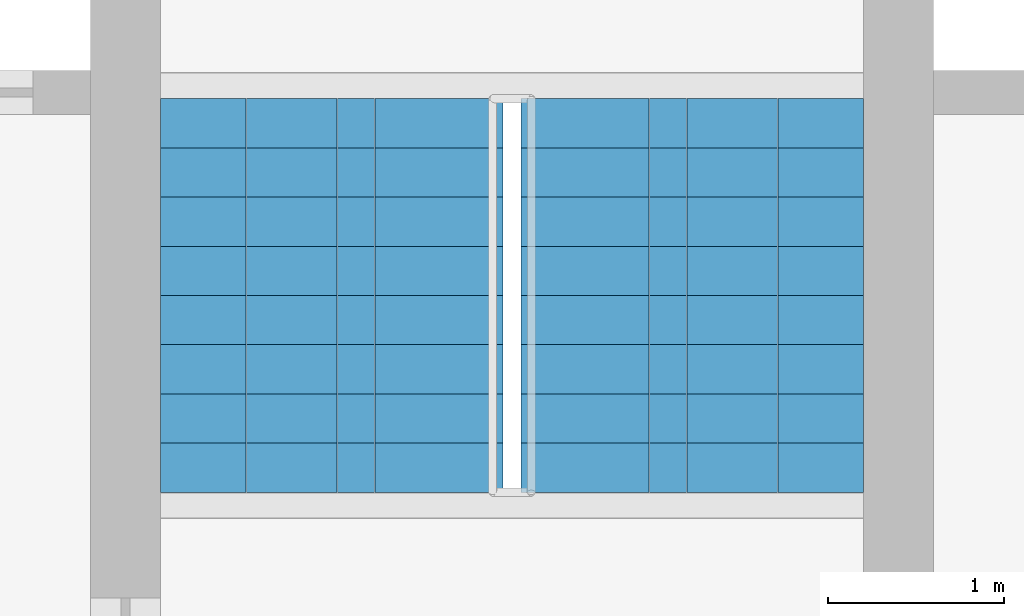
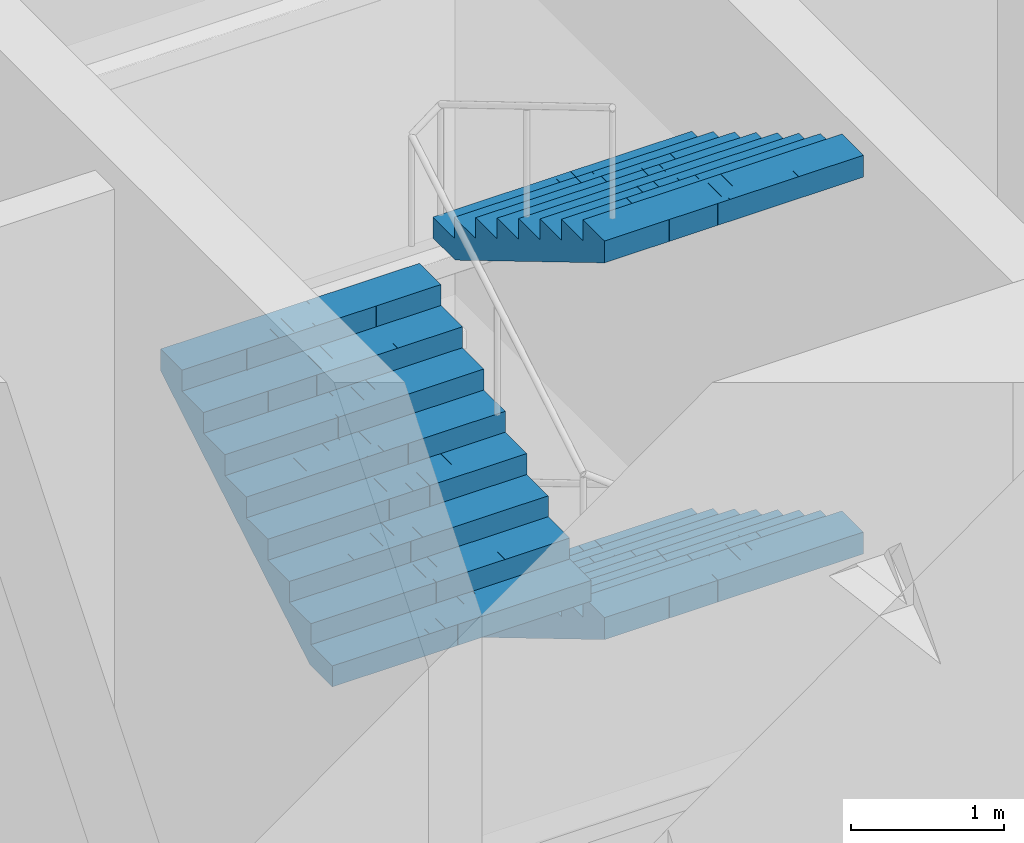
# One storey, part 16 of 19: 3 stair flights, 1 element without a shape of its own.
"""IFC4 building model written with IfcOpenShell, lengths in metres."""

from ifc_helpers import new_model, si_unit, direction, frame, origin, place, context, subcontext, project, spatial, polyline, outline, extrude, material, type_object, element, aggregate, save


model = new_model("IFC4")

# Units and contexts
model_context = context("Model", 3, precision=1e-05, world=origin(), true_north=direction((0.0, 1.0)))
body_context = subcontext(model_context, "Body", "Model", "MODEL_VIEW")
ifc_project = project(units=[si_unit("LENGTHUNIT", "METRE"), si_unit("AREAUNIT", "SQUARE_METRE"), si_unit("VOLUMEUNIT", "CUBIC_METRE"), si_unit("PLANEANGLEUNIT", "RADIAN"), si_unit("MASSUNIT", "GRAM", prefix="KILO")], contexts=[model_context])

# Site, building, storey
site_placement = place(None, origin())
site = spatial("IfcSite", under=ifc_project, at=site_placement, CompositionType="ELEMENT")
building_placement = place(site_placement, origin())
building = spatial("IfcBuilding", under=site, at=building_placement, Name="Mizan Broadcast Tower", CompositionType="ELEMENT")
storey_placement = place(building_placement, frame((0.0, 0.0, 198.89990234375)))
storey = spatial("IfcBuildingStorey", under=building, at=storey_placement, Name="L46", CompositionType="ELEMENT", Elevation=198.89990234375)

# Stair, stair flights
ifc_material_1 = material(Name="Concrete C40/50", Category="concrete")
stair_type = type_object("IfcStairType", Name="EXIT STAIR", PredefinedType="HALF_TURN_STAIR", material=ifc_material_1)
stair_placement = place(storey_placement, origin())
stair = element("IfcStair", 1, at=stair_placement, inside=storey, type_object=stair_type, Name="Stair A L46", PredefinedType="HALF_TURN_STAIR")
ifc_material_2 = material(Name="Concrete C40/50", Category="concrete")
stair_flight_type = type_object("IfcStairFlightType", Name="EXIT STAIR FLIGHT", PredefinedType="STRAIGHT", material=ifc_material_2)
stair_flight_1_placement = place(storey_placement, frame((1.02490234375, -5.659912109375, 1.5), z_axis=(0.0, 0.0, 1.0), x_axis=(0.0, -1.0, 0.0)))
stair_flight_1 = element("IfcStairFlight", 2, at=stair_flight_1_placement, type_object=stair_flight_type, Name="A flight 2", NumberOfRisers=9, NumberOfTreads=8, PredefinedType="STRAIGHT", RiserHeight=0.166666667, TreadLength=0.28, context=body_context, shape_type="SweptSolid", body=[
    extrude(outline(polyline([(0.0, 0.0), (0.0, 0.166748046875), (0.280029296875, 0.166748046875), (0.280029296875, 0.333251953125), (0.56005859375, 0.333251953125), (0.56005859375, 0.5), (0.840087890625, 0.5), (0.840087890625, 0.666748046875), (1.1201171875, 0.666748046875), (1.1201171875, 0.833251953125), (1.39990234375, 0.833251953125), (1.39990234375, 1.0), (1.679931640625, 1.0), (1.679931640625, 1.166748046875), (1.9599609375, 1.166748046875), (1.9599609375, 1.333251953125), (2.239990234375, 1.333251953125), (2.239990234375, 1.5), (2.239990234375, 1.158935546875), (0.29296875, 0.0), (0.0, 0.0)])), frame((0.0, 0.97509765625, 0.0), z_axis=(0.0, -1.0, 0.0), x_axis=(1.0, 0.0, 0.0)), (0.0, 0.0, 1.0), 0.4873046875),
    extrude(outline(polyline([(0.0, 0.0), (0.0, 0.166748046875), (0.280029296875, 0.166748046875), (0.280029296875, 0.333251953125), (0.56005859375, 0.333251953125), (0.56005859375, 0.5), (0.840087890625, 0.5), (0.840087890625, 0.666748046875), (1.1201171875, 0.666748046875), (1.1201171875, 0.833251953125), (1.39990234375, 0.833251953125), (1.39990234375, 1.0), (1.679931640625, 1.0), (1.679931640625, 1.166748046875), (1.9599609375, 1.166748046875), (1.9599609375, 1.333251953125), (2.239990234375, 1.333251953125), (2.239990234375, 1.5), (2.239990234375, 1.158935546875), (0.29296875, 0.0), (0.0, 0.0)])), frame((0.0, 0.4873046875, 0.0), z_axis=(0.0, -1.0, 0.0), x_axis=(1.0, 0.0, 0.0)), (0.0, 0.0, 1.0), 0.2431640625),
    extrude(outline(polyline([(0.0, 0.0), (0.0, 0.166748046875), (0.280029296875, 0.166748046875), (0.280029296875, 0.333251953125), (0.56005859375, 0.333251953125), (0.56005859375, 0.5), (0.840087890625, 0.5), (0.840087890625, 0.666748046875), (1.1201171875, 0.666748046875), (1.1201171875, 0.833251953125), (1.39990234375, 0.833251953125), (1.39990234375, 1.0), (1.679931640625, 1.0), (1.679931640625, 1.166748046875), (1.9599609375, 1.166748046875), (1.9599609375, 1.333251953125), (2.239990234375, 1.333251953125), (2.239990234375, 1.5), (2.239990234375, 1.158935546875), (0.29296875, 0.0), (0.0, 0.0)])), frame((0.0, 0.24365234375, 0.0), z_axis=(0.0, -1.0, 0.0), x_axis=(1.0, 0.0, 0.0)), (0.0, 0.0, 1.0), 0.121337890625),
    extrude(outline(polyline([(0.0, 0.0), (0.0, 0.166748046875), (0.280029296875, 0.166748046875), (0.280029296875, 0.333251953125), (0.56005859375, 0.333251953125), (0.56005859375, 0.5), (0.840087890625, 0.5), (0.840087890625, 0.666748046875), (1.1201171875, 0.666748046875), (1.1201171875, 0.833251953125), (1.39990234375, 0.833251953125), (1.39990234375, 1.0), (1.679931640625, 1.0), (1.679931640625, 1.166748046875), (1.9599609375, 1.166748046875), (1.9599609375, 1.333251953125), (2.239990234375, 1.333251953125), (2.239990234375, 1.5), (2.239990234375, 1.158935546875), (0.29296875, 0.0), (0.0, 0.0)])), frame((0.0, 0.121826171875, 0.0), z_axis=(0.0, -1.0, 0.0), x_axis=(1.0, 0.0, 0.0)), (0.0, 0.0, 1.0), 0.060546875),
    extrude(outline(polyline([(0.0, 0.0), (0.0, 0.166748046875), (0.280029296875, 0.166748046875), (0.280029296875, 0.333251953125), (0.56005859375, 0.333251953125), (0.56005859375, 0.5), (0.840087890625, 0.5), (0.840087890625, 0.666748046875), (1.1201171875, 0.666748046875), (1.1201171875, 0.833251953125), (1.39990234375, 0.833251953125), (1.39990234375, 1.0), (1.679931640625, 1.0), (1.679931640625, 1.166748046875), (1.9599609375, 1.166748046875), (1.9599609375, 1.333251953125), (2.239990234375, 1.333251953125), (2.239990234375, 1.5), (2.239990234375, 1.158935546875), (0.29296875, 0.0), (0.0, 0.0)])), frame((0.0, 0.060791015625, 0.0), z_axis=(0.0, -1.0, 0.0), x_axis=(1.0, 0.0, 0.0)), (0.0, 0.0, 1.0), 0.030029296875),
    extrude(outline(polyline([(0.0, 0.0), (0.0, 0.166748046875), (0.280029296875, 0.166748046875), (0.280029296875, 0.333251953125), (0.56005859375, 0.333251953125), (0.56005859375, 0.5), (0.840087890625, 0.5), (0.840087890625, 0.666748046875), (1.1201171875, 0.666748046875), (1.1201171875, 0.833251953125), (1.39990234375, 0.833251953125), (1.39990234375, 1.0), (1.679931640625, 1.0), (1.679931640625, 1.166748046875), (1.9599609375, 1.166748046875), (1.9599609375, 1.333251953125), (2.239990234375, 1.333251953125), (2.239990234375, 1.5), (2.239990234375, 1.158935546875), (0.29296875, 0.0), (0.0, 0.0)])), frame((0.0, 0.0302734375, 0.0), z_axis=(0.0, -1.0, 0.0), x_axis=(1.0, 0.0, 0.0)), (0.0, 0.0, 1.0), 0.060302734375),
    extrude(outline(polyline([(0.0, 0.0), (0.0, 0.166748046875), (0.280029296875, 0.166748046875), (0.280029296875, 0.333251953125), (0.56005859375, 0.333251953125), (0.56005859375, 0.5), (0.840087890625, 0.5), (0.840087890625, 0.666748046875), (1.1201171875, 0.666748046875), (1.1201171875, 0.833251953125), (1.39990234375, 0.833251953125), (1.39990234375, 1.0), (1.679931640625, 1.0), (1.679931640625, 1.166748046875), (1.9599609375, 1.166748046875), (1.9599609375, 1.333251953125), (2.239990234375, 1.333251953125), (2.239990234375, 1.5), (2.239990234375, 1.158935546875), (0.29296875, 0.0), (0.0, 0.0)])), frame((0.0, -0.030517578125, 0.0), z_axis=(0.0, -1.0, 0.0), x_axis=(1.0, 0.0, 0.0)), (0.0, 0.0, 1.0), 0.030029296875),
    extrude(outline(polyline([(0.0, 0.0), (0.0, 0.166748046875), (0.280029296875, 0.166748046875), (0.280029296875, 0.333251953125), (0.56005859375, 0.333251953125), (0.56005859375, 0.5), (0.840087890625, 0.5), (0.840087890625, 0.666748046875), (1.1201171875, 0.666748046875), (1.1201171875, 0.833251953125), (1.39990234375, 0.833251953125), (1.39990234375, 1.0), (1.679931640625, 1.0), (1.679931640625, 1.166748046875), (1.9599609375, 1.166748046875), (1.9599609375, 1.333251953125), (2.239990234375, 1.333251953125), (2.239990234375, 1.5), (2.239990234375, 1.158935546875), (0.29296875, 0.0), (0.0, 0.0)])), frame((0.0, -0.06103515625, 0.0), z_axis=(0.0, -1.0, 0.0), x_axis=(1.0, 0.0, 0.0)), (0.0, 0.0, 1.0), 0.060546875),
    extrude(outline(polyline([(0.0, 0.0), (0.0, 0.166748046875), (0.280029296875, 0.166748046875), (0.280029296875, 0.333251953125), (0.56005859375, 0.333251953125), (0.56005859375, 0.5), (0.840087890625, 0.5), (0.840087890625, 0.666748046875), (1.1201171875, 0.666748046875), (1.1201171875, 0.833251953125), (1.39990234375, 0.833251953125), (1.39990234375, 1.0), (1.679931640625, 1.0), (1.679931640625, 1.166748046875), (1.9599609375, 1.166748046875), (1.9599609375, 1.333251953125), (2.239990234375, 1.333251953125), (2.239990234375, 1.5), (2.239990234375, 1.158935546875), (0.29296875, 0.0), (0.0, 0.0)])), frame((0.0, -0.1220703125, 0.0), z_axis=(0.0, -1.0, 0.0), x_axis=(1.0, 0.0, 0.0)), (0.0, 0.0, 1.0), 0.121337890625),
    extrude(outline(polyline([(0.0, 0.0), (0.0, 0.166748046875), (0.280029296875, 0.166748046875), (0.280029296875, 0.333251953125), (0.56005859375, 0.333251953125), (0.56005859375, 0.5), (0.840087890625, 0.5), (0.840087890625, 0.666748046875), (1.1201171875, 0.666748046875), (1.1201171875, 0.833251953125), (1.39990234375, 0.833251953125), (1.39990234375, 1.0), (1.679931640625, 1.0), (1.679931640625, 1.166748046875), (1.9599609375, 1.166748046875), (1.9599609375, 1.333251953125), (2.239990234375, 1.333251953125), (2.239990234375, 1.5), (2.239990234375, 1.158935546875), (0.29296875, 0.0), (0.0, 0.0)])), frame((0.0, -0.243896484375, 0.0), z_axis=(0.0, -1.0, 0.0), x_axis=(1.0, 0.0, 0.0)), (0.0, 0.0, 1.0), 0.2431640625),
    extrude(outline(polyline([(0.0, 0.0), (0.0, 0.166748046875), (0.280029296875, 0.166748046875), (0.280029296875, 0.333251953125), (0.56005859375, 0.333251953125), (0.56005859375, 0.5), (0.840087890625, 0.5), (0.840087890625, 0.666748046875), (1.1201171875, 0.666748046875), (1.1201171875, 0.833251953125), (1.39990234375, 0.833251953125), (1.39990234375, 1.0), (1.679931640625, 1.0), (1.679931640625, 1.166748046875), (1.9599609375, 1.166748046875), (1.9599609375, 1.333251953125), (2.239990234375, 1.333251953125), (2.239990234375, 1.5), (2.239990234375, 1.158935546875), (0.29296875, 0.0), (0.0, 0.0)])), frame((0.0, -0.487548828125, 0.0), z_axis=(0.0, -1.0, 0.0), x_axis=(1.0, 0.0, 0.0)), (0.0, 0.0, 1.0), 0.4873046875),
])
stair_flight_2_placement = place(storey_placement, frame((-1.02490234375, -7.89990234375, 3.0), z_axis=(0.0, 0.0, 1.0), x_axis=(0.0, 1.0, 0.0)))
stair_flight_2 = element("IfcStairFlight", 3, at=stair_flight_2_placement, type_object=stair_flight_type, Name="A flight 3", NumberOfRisers=9, NumberOfTreads=8, PredefinedType="STRAIGHT", RiserHeight=0.166666667, TreadLength=0.28, context=body_context, shape_type="SweptSolid", body=[
    extrude(outline(polyline([(0.0, 0.0), (0.0, 0.166748046875), (0.280029296875, 0.166748046875), (0.280029296875, 0.333251953125), (0.56005859375, 0.333251953125), (0.56005859375, 0.5), (0.840087890625, 0.5), (0.840087890625, 0.666748046875), (1.1201171875, 0.666748046875), (1.1201171875, 0.833251953125), (1.39990234375, 0.833251953125), (1.39990234375, 1.0), (1.679931640625, 1.0), (1.679931640625, 1.166748046875), (1.9599609375, 1.166748046875), (1.9599609375, 1.333251953125), (2.239990234375, 1.333251953125), (2.239990234375, 1.5), (2.239990234375, 1.158935546875), (0.29296875, 0.0), (0.0, 0.0)])), frame((0.0, 0.97509765625, 0.0), z_axis=(0.0, -1.0, 0.0), x_axis=(1.0, 0.0, 0.0)), (0.0, 0.0, 1.0), 0.4873046875),
    extrude(outline(polyline([(0.0, 0.0), (0.0, 0.166748046875), (0.280029296875, 0.166748046875), (0.280029296875, 0.333251953125), (0.56005859375, 0.333251953125), (0.56005859375, 0.5), (0.840087890625, 0.5), (0.840087890625, 0.666748046875), (1.1201171875, 0.666748046875), (1.1201171875, 0.833251953125), (1.39990234375, 0.833251953125), (1.39990234375, 1.0), (1.679931640625, 1.0), (1.679931640625, 1.166748046875), (1.9599609375, 1.166748046875), (1.9599609375, 1.333251953125), (2.239990234375, 1.333251953125), (2.239990234375, 1.5), (2.239990234375, 1.158935546875), (0.29296875, 0.0), (0.0, 0.0)])), frame((0.0, 0.4873046875, 0.0), z_axis=(0.0, -1.0, 0.0), x_axis=(1.0, 0.0, 0.0)), (0.0, 0.0, 1.0), 0.2431640625),
    extrude(outline(polyline([(0.0, 0.0), (0.0, 0.166748046875), (0.280029296875, 0.166748046875), (0.280029296875, 0.333251953125), (0.56005859375, 0.333251953125), (0.56005859375, 0.5), (0.840087890625, 0.5), (0.840087890625, 0.666748046875), (1.1201171875, 0.666748046875), (1.1201171875, 0.833251953125), (1.39990234375, 0.833251953125), (1.39990234375, 1.0), (1.679931640625, 1.0), (1.679931640625, 1.166748046875), (1.9599609375, 1.166748046875), (1.9599609375, 1.333251953125), (2.239990234375, 1.333251953125), (2.239990234375, 1.5), (2.239990234375, 1.158935546875), (0.29296875, 0.0), (0.0, 0.0)])), frame((0.0, 0.24365234375, 0.0), z_axis=(0.0, -1.0, 0.0), x_axis=(1.0, 0.0, 0.0)), (0.0, 0.0, 1.0), 0.121337890625),
    extrude(outline(polyline([(0.0, 0.0), (0.0, 0.166748046875), (0.280029296875, 0.166748046875), (0.280029296875, 0.333251953125), (0.56005859375, 0.333251953125), (0.56005859375, 0.5), (0.840087890625, 0.5), (0.840087890625, 0.666748046875), (1.1201171875, 0.666748046875), (1.1201171875, 0.833251953125), (1.39990234375, 0.833251953125), (1.39990234375, 1.0), (1.679931640625, 1.0), (1.679931640625, 1.166748046875), (1.9599609375, 1.166748046875), (1.9599609375, 1.333251953125), (2.239990234375, 1.333251953125), (2.239990234375, 1.5), (2.239990234375, 1.158935546875), (0.29296875, 0.0), (0.0, 0.0)])), frame((0.0, 0.121826171875, 0.0), z_axis=(0.0, -1.0, 0.0), x_axis=(1.0, 0.0, 0.0)), (0.0, 0.0, 1.0), 0.060546875),
    extrude(outline(polyline([(0.0, 0.0), (0.0, 0.166748046875), (0.280029296875, 0.166748046875), (0.280029296875, 0.333251953125), (0.56005859375, 0.333251953125), (0.56005859375, 0.5), (0.840087890625, 0.5), (0.840087890625, 0.666748046875), (1.1201171875, 0.666748046875), (1.1201171875, 0.833251953125), (1.39990234375, 0.833251953125), (1.39990234375, 1.0), (1.679931640625, 1.0), (1.679931640625, 1.166748046875), (1.9599609375, 1.166748046875), (1.9599609375, 1.333251953125), (2.239990234375, 1.333251953125), (2.239990234375, 1.5), (2.239990234375, 1.158935546875), (0.29296875, 0.0), (0.0, 0.0)])), frame((0.0, 0.060791015625, 0.0), z_axis=(0.0, -1.0, 0.0), x_axis=(1.0, 0.0, 0.0)), (0.0, 0.0, 1.0), 0.030029296875),
    extrude(outline(polyline([(0.0, 0.0), (0.0, 0.166748046875), (0.280029296875, 0.166748046875), (0.280029296875, 0.333251953125), (0.56005859375, 0.333251953125), (0.56005859375, 0.5), (0.840087890625, 0.5), (0.840087890625, 0.666748046875), (1.1201171875, 0.666748046875), (1.1201171875, 0.833251953125), (1.39990234375, 0.833251953125), (1.39990234375, 1.0), (1.679931640625, 1.0), (1.679931640625, 1.166748046875), (1.9599609375, 1.166748046875), (1.9599609375, 1.333251953125), (2.239990234375, 1.333251953125), (2.239990234375, 1.5), (2.239990234375, 1.158935546875), (0.29296875, 0.0), (0.0, 0.0)])), frame((0.0, 0.0302734375, 0.0), z_axis=(0.0, -1.0, 0.0), x_axis=(1.0, 0.0, 0.0)), (0.0, 0.0, 1.0), 0.060302734375),
    extrude(outline(polyline([(0.0, 0.0), (0.0, 0.166748046875), (0.280029296875, 0.166748046875), (0.280029296875, 0.333251953125), (0.56005859375, 0.333251953125), (0.56005859375, 0.5), (0.840087890625, 0.5), (0.840087890625, 0.666748046875), (1.1201171875, 0.666748046875), (1.1201171875, 0.833251953125), (1.39990234375, 0.833251953125), (1.39990234375, 1.0), (1.679931640625, 1.0), (1.679931640625, 1.166748046875), (1.9599609375, 1.166748046875), (1.9599609375, 1.333251953125), (2.239990234375, 1.333251953125), (2.239990234375, 1.5), (2.239990234375, 1.158935546875), (0.29296875, 0.0), (0.0, 0.0)])), frame((0.0, -0.030517578125, 0.0), z_axis=(0.0, -1.0, 0.0), x_axis=(1.0, 0.0, 0.0)), (0.0, 0.0, 1.0), 0.030029296875),
    extrude(outline(polyline([(0.0, 0.0), (0.0, 0.166748046875), (0.280029296875, 0.166748046875), (0.280029296875, 0.333251953125), (0.56005859375, 0.333251953125), (0.56005859375, 0.5), (0.840087890625, 0.5), (0.840087890625, 0.666748046875), (1.1201171875, 0.666748046875), (1.1201171875, 0.833251953125), (1.39990234375, 0.833251953125), (1.39990234375, 1.0), (1.679931640625, 1.0), (1.679931640625, 1.166748046875), (1.9599609375, 1.166748046875), (1.9599609375, 1.333251953125), (2.239990234375, 1.333251953125), (2.239990234375, 1.5), (2.239990234375, 1.158935546875), (0.29296875, 0.0), (0.0, 0.0)])), frame((0.0, -0.06103515625, 0.0), z_axis=(0.0, -1.0, 0.0), x_axis=(1.0, 0.0, 0.0)), (0.0, 0.0, 1.0), 0.060546875),
    extrude(outline(polyline([(0.0, 0.0), (0.0, 0.166748046875), (0.280029296875, 0.166748046875), (0.280029296875, 0.333251953125), (0.56005859375, 0.333251953125), (0.56005859375, 0.5), (0.840087890625, 0.5), (0.840087890625, 0.666748046875), (1.1201171875, 0.666748046875), (1.1201171875, 0.833251953125), (1.39990234375, 0.833251953125), (1.39990234375, 1.0), (1.679931640625, 1.0), (1.679931640625, 1.166748046875), (1.9599609375, 1.166748046875), (1.9599609375, 1.333251953125), (2.239990234375, 1.333251953125), (2.239990234375, 1.5), (2.239990234375, 1.158935546875), (0.29296875, 0.0), (0.0, 0.0)])), frame((0.0, -0.1220703125, 0.0), z_axis=(0.0, -1.0, 0.0), x_axis=(1.0, 0.0, 0.0)), (0.0, 0.0, 1.0), 0.121337890625),
    extrude(outline(polyline([(0.0, 0.0), (0.0, 0.166748046875), (0.280029296875, 0.166748046875), (0.280029296875, 0.333251953125), (0.56005859375, 0.333251953125), (0.56005859375, 0.5), (0.840087890625, 0.5), (0.840087890625, 0.666748046875), (1.1201171875, 0.666748046875), (1.1201171875, 0.833251953125), (1.39990234375, 0.833251953125), (1.39990234375, 1.0), (1.679931640625, 1.0), (1.679931640625, 1.166748046875), (1.9599609375, 1.166748046875), (1.9599609375, 1.333251953125), (2.239990234375, 1.333251953125), (2.239990234375, 1.5), (2.239990234375, 1.158935546875), (0.29296875, 0.0), (0.0, 0.0)])), frame((0.0, -0.243896484375, 0.0), z_axis=(0.0, -1.0, 0.0), x_axis=(1.0, 0.0, 0.0)), (0.0, 0.0, 1.0), 0.2431640625),
    extrude(outline(polyline([(0.0, 0.0), (0.0, 0.166748046875), (0.280029296875, 0.166748046875), (0.280029296875, 0.333251953125), (0.56005859375, 0.333251953125), (0.56005859375, 0.5), (0.840087890625, 0.5), (0.840087890625, 0.666748046875), (1.1201171875, 0.666748046875), (1.1201171875, 0.833251953125), (1.39990234375, 0.833251953125), (1.39990234375, 1.0), (1.679931640625, 1.0), (1.679931640625, 1.166748046875), (1.9599609375, 1.166748046875), (1.9599609375, 1.333251953125), (2.239990234375, 1.333251953125), (2.239990234375, 1.5), (2.239990234375, 1.158935546875), (0.29296875, 0.0), (0.0, 0.0)])), frame((0.0, -0.487548828125, 0.0), z_axis=(0.0, -1.0, 0.0), x_axis=(1.0, 0.0, 0.0)), (0.0, 0.0, 1.0), 0.4873046875),
])
stair_flight_3_placement = place(storey_placement, frame((1.02490234375, -5.659912109375, 4.5), z_axis=(0.0, 0.0, 1.0), x_axis=(0.0, -1.0, 0.0)))
stair_flight_3 = element("IfcStairFlight", 4, at=stair_flight_3_placement, type_object=stair_flight_type, Name="A flight 4", NumberOfRisers=9, NumberOfTreads=8, PredefinedType="STRAIGHT", RiserHeight=0.166666667, TreadLength=0.28, context=body_context, shape_type="SweptSolid", body=[
    extrude(outline(polyline([(0.0, 0.0), (0.0, 0.166748046875), (0.280029296875, 0.166748046875), (0.280029296875, 0.333251953125), (0.56005859375, 0.333251953125), (0.56005859375, 0.5), (0.840087890625, 0.5), (0.840087890625, 0.666748046875), (1.1201171875, 0.666748046875), (1.1201171875, 0.833251953125), (1.39990234375, 0.833251953125), (1.39990234375, 1.0), (1.679931640625, 1.0), (1.679931640625, 1.166748046875), (1.9599609375, 1.166748046875), (1.9599609375, 1.333251953125), (2.239990234375, 1.333251953125), (2.239990234375, 1.5), (2.239990234375, 1.158935546875), (0.29296875, 0.0), (0.0, 0.0)])), frame((0.0, 0.97509765625, 0.0), z_axis=(0.0, -1.0, 0.0), x_axis=(1.0, 0.0, 0.0)), (0.0, 0.0, 1.0), 0.4873046875),
    extrude(outline(polyline([(0.0, 0.0), (0.0, 0.166748046875), (0.280029296875, 0.166748046875), (0.280029296875, 0.333251953125), (0.56005859375, 0.333251953125), (0.56005859375, 0.5), (0.840087890625, 0.5), (0.840087890625, 0.666748046875), (1.1201171875, 0.666748046875), (1.1201171875, 0.833251953125), (1.39990234375, 0.833251953125), (1.39990234375, 1.0), (1.679931640625, 1.0), (1.679931640625, 1.166748046875), (1.9599609375, 1.166748046875), (1.9599609375, 1.333251953125), (2.239990234375, 1.333251953125), (2.239990234375, 1.5), (2.239990234375, 1.158935546875), (0.29296875, 0.0), (0.0, 0.0)])), frame((0.0, 0.4873046875, 0.0), z_axis=(0.0, -1.0, 0.0), x_axis=(1.0, 0.0, 0.0)), (0.0, 0.0, 1.0), 0.2431640625),
    extrude(outline(polyline([(0.0, 0.0), (0.0, 0.166748046875), (0.280029296875, 0.166748046875), (0.280029296875, 0.333251953125), (0.56005859375, 0.333251953125), (0.56005859375, 0.5), (0.840087890625, 0.5), (0.840087890625, 0.666748046875), (1.1201171875, 0.666748046875), (1.1201171875, 0.833251953125), (1.39990234375, 0.833251953125), (1.39990234375, 1.0), (1.679931640625, 1.0), (1.679931640625, 1.166748046875), (1.9599609375, 1.166748046875), (1.9599609375, 1.333251953125), (2.239990234375, 1.333251953125), (2.239990234375, 1.5), (2.239990234375, 1.158935546875), (0.29296875, 0.0), (0.0, 0.0)])), frame((0.0, 0.24365234375, 0.0), z_axis=(0.0, -1.0, 0.0), x_axis=(1.0, 0.0, 0.0)), (0.0, 0.0, 1.0), 0.121337890625),
    extrude(outline(polyline([(0.0, 0.0), (0.0, 0.166748046875), (0.280029296875, 0.166748046875), (0.280029296875, 0.333251953125), (0.56005859375, 0.333251953125), (0.56005859375, 0.5), (0.840087890625, 0.5), (0.840087890625, 0.666748046875), (1.1201171875, 0.666748046875), (1.1201171875, 0.833251953125), (1.39990234375, 0.833251953125), (1.39990234375, 1.0), (1.679931640625, 1.0), (1.679931640625, 1.166748046875), (1.9599609375, 1.166748046875), (1.9599609375, 1.333251953125), (2.239990234375, 1.333251953125), (2.239990234375, 1.5), (2.239990234375, 1.158935546875), (0.29296875, 0.0), (0.0, 0.0)])), frame((0.0, 0.121826171875, 0.0), z_axis=(0.0, -1.0, 0.0), x_axis=(1.0, 0.0, 0.0)), (0.0, 0.0, 1.0), 0.060546875),
    extrude(outline(polyline([(0.0, 0.0), (0.0, 0.166748046875), (0.280029296875, 0.166748046875), (0.280029296875, 0.333251953125), (0.56005859375, 0.333251953125), (0.56005859375, 0.5), (0.840087890625, 0.5), (0.840087890625, 0.666748046875), (1.1201171875, 0.666748046875), (1.1201171875, 0.833251953125), (1.39990234375, 0.833251953125), (1.39990234375, 1.0), (1.679931640625, 1.0), (1.679931640625, 1.166748046875), (1.9599609375, 1.166748046875), (1.9599609375, 1.333251953125), (2.239990234375, 1.333251953125), (2.239990234375, 1.5), (2.239990234375, 1.158935546875), (0.29296875, 0.0), (0.0, 0.0)])), frame((0.0, 0.060791015625, 0.0), z_axis=(0.0, -1.0, 0.0), x_axis=(1.0, 0.0, 0.0)), (0.0, 0.0, 1.0), 0.030029296875),
    extrude(outline(polyline([(0.0, 0.0), (0.0, 0.166748046875), (0.280029296875, 0.166748046875), (0.280029296875, 0.333251953125), (0.56005859375, 0.333251953125), (0.56005859375, 0.5), (0.840087890625, 0.5), (0.840087890625, 0.666748046875), (1.1201171875, 0.666748046875), (1.1201171875, 0.833251953125), (1.39990234375, 0.833251953125), (1.39990234375, 1.0), (1.679931640625, 1.0), (1.679931640625, 1.166748046875), (1.9599609375, 1.166748046875), (1.9599609375, 1.333251953125), (2.239990234375, 1.333251953125), (2.239990234375, 1.5), (2.239990234375, 1.158935546875), (0.29296875, 0.0), (0.0, 0.0)])), frame((0.0, 0.0302734375, 0.0), z_axis=(0.0, -1.0, 0.0), x_axis=(1.0, 0.0, 0.0)), (0.0, 0.0, 1.0), 0.060302734375),
    extrude(outline(polyline([(0.0, 0.0), (0.0, 0.166748046875), (0.280029296875, 0.166748046875), (0.280029296875, 0.333251953125), (0.56005859375, 0.333251953125), (0.56005859375, 0.5), (0.840087890625, 0.5), (0.840087890625, 0.666748046875), (1.1201171875, 0.666748046875), (1.1201171875, 0.833251953125), (1.39990234375, 0.833251953125), (1.39990234375, 1.0), (1.679931640625, 1.0), (1.679931640625, 1.166748046875), (1.9599609375, 1.166748046875), (1.9599609375, 1.333251953125), (2.239990234375, 1.333251953125), (2.239990234375, 1.5), (2.239990234375, 1.158935546875), (0.29296875, 0.0), (0.0, 0.0)])), frame((0.0, -0.030517578125, 0.0), z_axis=(0.0, -1.0, 0.0), x_axis=(1.0, 0.0, 0.0)), (0.0, 0.0, 1.0), 0.030029296875),
    extrude(outline(polyline([(0.0, 0.0), (0.0, 0.166748046875), (0.280029296875, 0.166748046875), (0.280029296875, 0.333251953125), (0.56005859375, 0.333251953125), (0.56005859375, 0.5), (0.840087890625, 0.5), (0.840087890625, 0.666748046875), (1.1201171875, 0.666748046875), (1.1201171875, 0.833251953125), (1.39990234375, 0.833251953125), (1.39990234375, 1.0), (1.679931640625, 1.0), (1.679931640625, 1.166748046875), (1.9599609375, 1.166748046875), (1.9599609375, 1.333251953125), (2.239990234375, 1.333251953125), (2.239990234375, 1.5), (2.239990234375, 1.158935546875), (0.29296875, 0.0), (0.0, 0.0)])), frame((0.0, -0.06103515625, 0.0), z_axis=(0.0, -1.0, 0.0), x_axis=(1.0, 0.0, 0.0)), (0.0, 0.0, 1.0), 0.060546875),
    extrude(outline(polyline([(0.0, 0.0), (0.0, 0.166748046875), (0.280029296875, 0.166748046875), (0.280029296875, 0.333251953125), (0.56005859375, 0.333251953125), (0.56005859375, 0.5), (0.840087890625, 0.5), (0.840087890625, 0.666748046875), (1.1201171875, 0.666748046875), (1.1201171875, 0.833251953125), (1.39990234375, 0.833251953125), (1.39990234375, 1.0), (1.679931640625, 1.0), (1.679931640625, 1.166748046875), (1.9599609375, 1.166748046875), (1.9599609375, 1.333251953125), (2.239990234375, 1.333251953125), (2.239990234375, 1.5), (2.239990234375, 1.158935546875), (0.29296875, 0.0), (0.0, 0.0)])), frame((0.0, -0.1220703125, 0.0), z_axis=(0.0, -1.0, 0.0), x_axis=(1.0, 0.0, 0.0)), (0.0, 0.0, 1.0), 0.121337890625),
    extrude(outline(polyline([(0.0, 0.0), (0.0, 0.166748046875), (0.280029296875, 0.166748046875), (0.280029296875, 0.333251953125), (0.56005859375, 0.333251953125), (0.56005859375, 0.5), (0.840087890625, 0.5), (0.840087890625, 0.666748046875), (1.1201171875, 0.666748046875), (1.1201171875, 0.833251953125), (1.39990234375, 0.833251953125), (1.39990234375, 1.0), (1.679931640625, 1.0), (1.679931640625, 1.166748046875), (1.9599609375, 1.166748046875), (1.9599609375, 1.333251953125), (2.239990234375, 1.333251953125), (2.239990234375, 1.5), (2.239990234375, 1.158935546875), (0.29296875, 0.0), (0.0, 0.0)])), frame((0.0, -0.243896484375, 0.0), z_axis=(0.0, -1.0, 0.0), x_axis=(1.0, 0.0, 0.0)), (0.0, 0.0, 1.0), 0.2431640625),
    extrude(outline(polyline([(0.0, 0.0), (0.0, 0.166748046875), (0.280029296875, 0.166748046875), (0.280029296875, 0.333251953125), (0.56005859375, 0.333251953125), (0.56005859375, 0.5), (0.840087890625, 0.5), (0.840087890625, 0.666748046875), (1.1201171875, 0.666748046875), (1.1201171875, 0.833251953125), (1.39990234375, 0.833251953125), (1.39990234375, 1.0), (1.679931640625, 1.0), (1.679931640625, 1.166748046875), (1.9599609375, 1.166748046875), (1.9599609375, 1.333251953125), (2.239990234375, 1.333251953125), (2.239990234375, 1.5), (2.239990234375, 1.158935546875), (0.29296875, 0.0), (0.0, 0.0)])), frame((0.0, -0.487548828125, 0.0), z_axis=(0.0, -1.0, 0.0), x_axis=(1.0, 0.0, 0.0)), (0.0, 0.0, 1.0), 0.4873046875),
])
aggregate(stair, [stair_flight_1, stair_flight_2, stair_flight_3])

save(model, "model.ifc")
